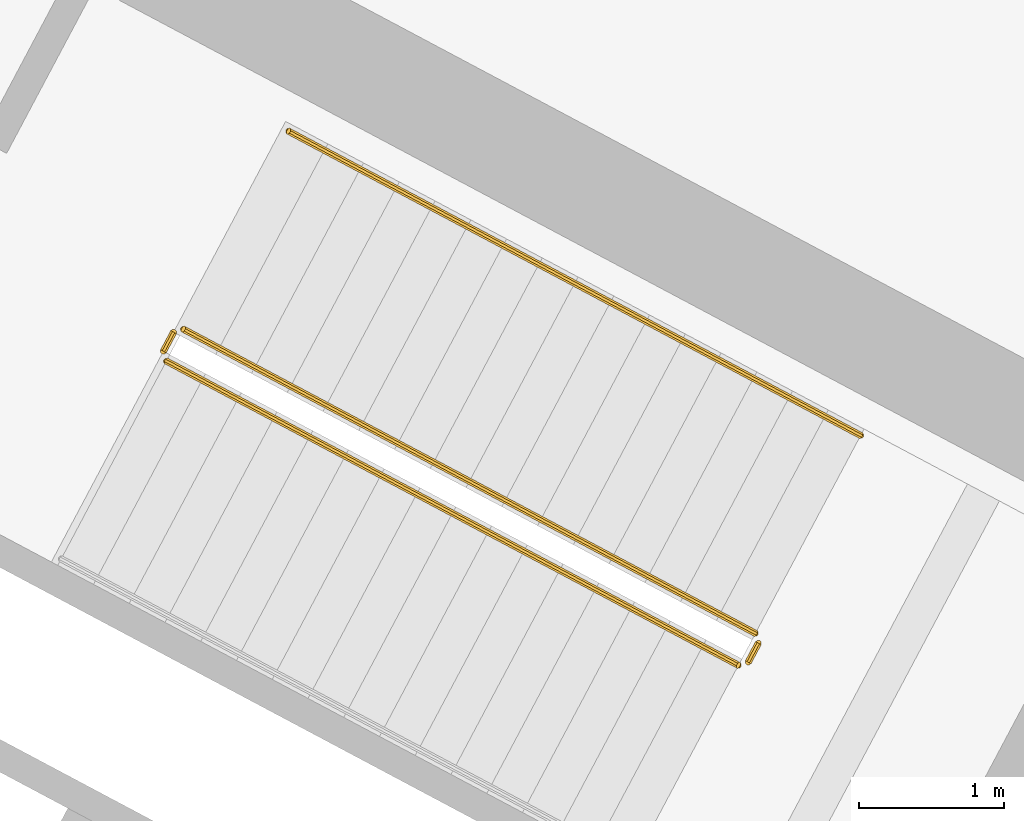
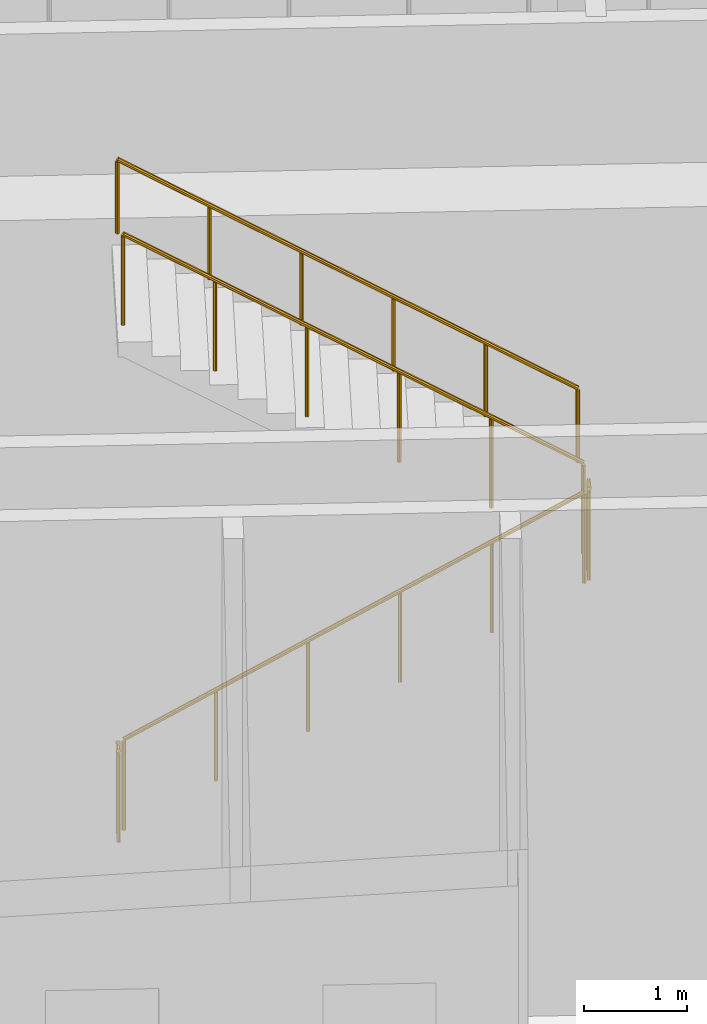
# One storey, part 26 of 33: 5 railings.
"""IFC4 building model written with IfcOpenShell, lengths in metres."""

import ifcopenshell
import ifcopenshell.guid

model = None  # the IFC model being written
_history = None  # IfcOwnerHistory: only IFC2X3 demands one
_inside = {}  # id of a spatial element -> (the spatial element, [elements in it])
_under = {}  # id of a project, library or spatial element -> (it, [spatial elements below it])
_declared = {}  # id of a project -> (the project, [libraries it declares])
_typed = {}  # id of a type object -> (the type object, [elements of that type])
_made_of = {}  # id of a material, layer set ... -> (it, [elements and type objects made of it])


def new_model(schema):
    """Start an empty IFC model of exactly this schema.

    Asked for "IFC4X3", IfcOpenShell would pick the latest addendum, in which some entities
    have other attributes; the version numbers below select the first issue.
    IFC2X3 requires an IfcOwnerHistory on every rooted entity: one is made here for all.
    """
    global model, _history
    if schema == "IFC4X3":
        model = ifcopenshell.file(schema_version=(4, 3, 0, 0))
    else:
        model = ifcopenshell.file(schema=schema)
    _inside.clear()
    _under.clear()
    _declared.clear()
    _typed.clear()
    _made_of.clear()
    _history = None
    if model.schema == "IFC2X3":
        org = make("IfcOrganization", Name="unknown")
        user = make(
            "IfcPersonAndOrganization",
            ThePerson=make("IfcPerson", FamilyName="unknown"),
            TheOrganization=org,
        )
        app = make(
            "IfcApplication",
            ApplicationDeveloper=org,
            Version="unknown",
            ApplicationFullName="unknown",
            ApplicationIdentifier="unknown",
        )
        _history = make(
            "IfcOwnerHistory",
            OwningUser=user,
            OwningApplication=app,
            ChangeAction="ADDED",
            CreationDate=0,
        )
    return model


def make(cls, **values):
    """One entity of the class cls with the attributes given. An attribute that is None is left unset."""
    return model.create_entity(
        cls, **{name: value for name, value in values.items() if value is not None}
    )


def rooted(cls, **values):
    """An entity with a GlobalId (a new one), such as an element, a storey or a relation."""
    return make(cls, GlobalId=ifcopenshell.guid.new(), OwnerHistory=_history, **values)


def si_unit(unit_type, name, prefix=None):
    """IfcSIUnit, for example si_unit("LENGTHUNIT", "METRE", prefix="MILLI")."""
    return make("IfcSIUnit", UnitType=unit_type, Prefix=prefix, Name=name)


def assignment(units):
    """IfcUnitAssignment: the units of a project."""
    return None if units is None else make("IfcUnitAssignment", Units=units)


def point(xyz):
    """IfcCartesianPoint."""
    return None if xyz is None else make("IfcCartesianPoint", Coordinates=xyz)


def direction(xyz):
    """IfcDirection."""
    return None if xyz is None else make("IfcDirection", DirectionRatios=xyz)


def frame(location, z_axis=None, x_axis=None):
    """IfcAxis2Placement3D, a coordinate frame: its origin and axes. An axis left out is left unset."""
    return make(
        "IfcAxis2Placement3D",
        Location=point(location),
        Axis=direction(z_axis),
        RefDirection=direction(x_axis),
    )


def origin():
    """The frame at (0, 0, 0) with its axes left unset."""
    return frame((0.0, 0.0, 0.0))


def place(relative_to, where):
    """IfcLocalPlacement: puts the frame where relative to a parent placement (None: the world)."""
    return make(
        "IfcLocalPlacement", PlacementRelTo=relative_to, RelativePlacement=where
    )


def context(
    kind, dimensions, precision=None, world=None, true_north=None, identifier=None
):
    """IfcGeometricRepresentationContext, for example the 3D "Model" context."""
    return make(
        "IfcGeometricRepresentationContext",
        ContextIdentifier=identifier,
        ContextType=kind,
        CoordinateSpaceDimension=dimensions,
        Precision=precision,
        WorldCoordinateSystem=world,
        TrueNorth=true_north,
    )


def subcontext(parent, identifier, kind, view, scale=None):
    """IfcGeometricRepresentationSubContext, for example "Body" below "Model"."""
    return make(
        "IfcGeometricRepresentationSubContext",
        ContextIdentifier=identifier,
        ContextType=kind,
        ParentContext=parent,
        TargetScale=scale,
        TargetView=view,
    )


def project(units=None, contexts=None):
    """IfcProject with its units and contexts."""
    return rooted(
        "IfcProject",
        Name="project",
        RepresentationContexts=contexts,
        UnitsInContext=assignment(units),
    )


def spatial(cls, under=None, at=None, **own):
    """A site, building, storey or space (cls), placed at a placement, below another one or the project."""
    s = rooted(cls, ObjectPlacement=at, **own)
    if under is not None:
        _under.setdefault(under.id(), (under, []))[1].append(s)
    return s


def polyline(points):
    """IfcPolyline through the points."""
    return make("IfcPolyline", Points=[point(p) for p in points])


def outline(outer, holes=None, kind="AREA"):
    """IfcArbitraryClosedProfileDef: a profile drawn as a closed curve; with holes, ...WithVoids."""
    if holes is None:
        return make("IfcArbitraryClosedProfileDef", ProfileType=kind, OuterCurve=outer)
    return make(
        "IfcArbitraryProfileDefWithVoids",
        ProfileType=kind,
        OuterCurve=outer,
        InnerCurves=holes,
    )


def extrude(swept, where, along, depth):
    """IfcExtrudedAreaSolid: the profile swept, set in the frame where, extruded along a direction by depth."""
    return make(
        "IfcExtrudedAreaSolid",
        SweptArea=swept,
        Position=where,
        ExtrudedDirection=direction(along),
        Depth=depth,
    )


def shape(context_of_items, identifier, shape_type, items):
    """IfcShapeRepresentation: the items that make up one representation, for example the "Body"."""
    return make(
        "IfcShapeRepresentation",
        ContextOfItems=context_of_items,
        RepresentationIdentifier=identifier,
        RepresentationType=shape_type,
        Items=items,
    )


def material(Name=None, Category=None):
    """IfcMaterial."""
    return make("IfcMaterial", Name=Name, Category=Category)


def made_of(thing, what):
    """Note that an element or type object is made of a material, layer set ...; save() writes the relation."""
    if what is not None:
        _made_of.setdefault(what.id(), (what, []))[1].append(thing)
    return thing


def type_object(cls, material=None, **own):
    """A type object (cls), such as IfcWallType, which elements share."""
    return made_of(rooted(cls, **own), material)


def element(
    cls,
    number,
    at=None,
    inside=None,
    cuts=None,
    type_object=None,
    material=None,
    context=None,
    identifier="Body",
    shape_type=None,
    held_by="IfcProductDefinitionShape",
    body=None,
    shapes=None,
    **own,
):
    """One element of the class cls, such as IfcWall. Its Tag is "e" and its number.

    at: its placement. inside: the storey or other place that contains it. cuts: it is an
    opening in that element (IfcRelVoidsElement). A single representation is given by context,
    identifier, shape_type and body (its items); several are given by shapes. held_by: the class
    of the entity that holds the representations. save() writes the other relations.
    """
    e = rooted(cls, Tag="e%d" % number, ObjectPlacement=at, **own)
    if body is not None:
        shapes = [shape(context, identifier, shape_type, body)]
    if shapes is not None:
        e.Representation = make(held_by, Representations=shapes)
    if inside is not None:
        _inside.setdefault(inside.id(), (inside, []))[1].append(e)
    if cuts is not None:
        rooted(
            "IfcRelVoidsElement", RelatingBuildingElement=cuts, RelatedOpeningElement=e
        )
    if type_object is not None:
        _typed.setdefault(type_object.id(), (type_object, []))[1].append(e)
    return made_of(e, material)


def aggregate(whole, parts):
    """IfcRelAggregates: a whole, such as a stair, and the parts it consists of."""
    return rooted("IfcRelAggregates", RelatingObject=whole, RelatedObjects=parts)


def save(model, path):
    """Write the relations noted so far, then the file.

    IfcRelAggregates (storeys below a building ...), IfcRelContainedInSpatialStructure (elements
    in a storey), IfcRelDefinesByType, IfcRelAssociatesMaterial and IfcRelDeclares: one each for
    every whole, place, type object, material and project.
    """
    for whole, parts in _under.values():
        aggregate(whole, parts)
    for where, things in _inside.values():
        rooted(
            "IfcRelContainedInSpatialStructure",
            RelatedElements=things,
            RelatingStructure=where,
        )
    for kind, things in _typed.values():
        rooted("IfcRelDefinesByType", RelatedObjects=things, RelatingType=kind)
    for what, things in _made_of.values():
        rooted("IfcRelAssociatesMaterial", RelatedObjects=things, RelatingMaterial=what)
    for by, libraries in _declared.values():
        rooted("IfcRelDeclares", RelatingContext=by, RelatedDefinitions=libraries)
    model.write(path)


model = new_model("IFC4")

# Units and contexts
model_context = context("Model", 3, precision=1e-05, world=origin(), true_north=direction((0.0, 1.0)))
body_context = subcontext(model_context, "Body", "Model", "MODEL_VIEW")
ifc_project = project(units=[si_unit("LENGTHUNIT", "METRE"), si_unit("AREAUNIT", "SQUARE_METRE"), si_unit("VOLUMEUNIT", "CUBIC_METRE"), si_unit("PLANEANGLEUNIT", "RADIAN"), si_unit("MASSUNIT", "GRAM", prefix="KILO")], contexts=[model_context])

# Site, building, storey
site_placement = place(None, origin())
site = spatial("IfcSite", under=ifc_project, at=site_placement, CompositionType="ELEMENT")
building_placement = place(site_placement, origin())
building = spatial("IfcBuilding", under=site, at=building_placement, Name="Cormorant Relay Tower", CompositionType="ELEMENT")
storey_placement = place(building_placement, frame((0.0, 0.0, 183.60009765625)))
storey = spatial("IfcBuildingStorey", under=building, at=storey_placement, Name="L39", CompositionType="ELEMENT", Elevation=183.60009765625)

# Railings
ifc_material_1 = material(Name="Steel ASTM A572 Grade 50 (Fy 345 MPa)", Category="steel")
railing_type_1 = type_object("IfcRailingType", Name="Stair guard 1100", PredefinedType="GUARDRAIL", material=ifc_material_1)
railing_1_placement = place(storey_placement, frame((-20.75048828125, 19.017822265625, 0.17626953125)))
element("IfcRailing", 1, at=railing_1_placement, inside=storey, type_object=railing_type_1, Name="L39 A1 stair guard 1", PredefinedType="GUARDRAIL", context=body_context, shape_type="SweptSolid", body=[
    extrude(outline(polyline([(0.022216796875, 0.00927734375), (0.00927734375, 0.022216796875), (-0.00927734375, 0.022216796875), (-0.022216796875, 0.00927734375), (-0.022216796875, -0.00927734375), (-0.00927734375, -0.022216796875), (0.00927734375, -0.022216796875), (0.022216796875, -0.00927734375), (0.022216796875, 0.00927734375)])), frame((0.0, 0.0, 1.076171875), z_axis=(0.746948989206, -0.397171061721, 0.533218862434), x_axis=(0.469481920044, 0.882942085729, 0.0)), (0.0, 0.0, 1.0), 5.295654296875),
    extrude(outline(polyline([(0.019287109375, 0.008056640625), (0.008056640625, 0.019287109375), (-0.008056640625, 0.019287109375), (-0.019287109375, 0.008056640625), (-0.019287109375, -0.008056640625), (-0.008056640625, -0.019287109375), (0.008056640625, -0.019287109375), (0.019287109375, -0.008056640625), (0.019287109375, 0.008056640625)])), origin(), (0.0, 0.0, 1.0), 1.052001953125),
    extrude(outline(polyline([(0.019287109375, 0.008056640625), (0.008056640625, 0.019287109375), (-0.008056640625, 0.019287109375), (-0.019287109375, 0.008056640625), (-0.019287109375, -0.008056640625), (-0.008056640625, -0.019287109375), (0.008056640625, -0.019287109375), (0.019287109375, -0.008056640625), (0.019287109375, 0.008056640625)])), frame((0.791015625, -0.420654296875, 0.564697265625)), (0.0, 0.0, 1.0), 1.052001953125),
    extrude(outline(polyline([(0.019287109375, 0.008056640625), (0.008056640625, 0.019287109375), (-0.008056640625, 0.019287109375), (-0.019287109375, 0.008056640625), (-0.019287109375, -0.008056640625), (-0.008056640625, -0.019287109375), (0.008056640625, -0.019287109375), (0.019287109375, -0.008056640625), (0.019287109375, 0.008056640625)])), frame((1.582275390625, -0.84130859375, 1.12939453125)), (0.0, 0.0, 1.0), 1.052001953125),
    extrude(outline(polyline([(0.019287109375, 0.008056640625), (0.008056640625, 0.019287109375), (-0.008056640625, 0.019287109375), (-0.019287109375, 0.008056640625), (-0.019287109375, -0.008056640625), (-0.008056640625, -0.019287109375), (0.008056640625, -0.019287109375), (0.019287109375, -0.008056640625), (0.019287109375, 0.008056640625)])), frame((2.373291015625, -1.261962890625, 1.6943359375)), (0.0, 0.0, 1.0), 1.052001953125),
    extrude(outline(polyline([(0.019287109375, 0.008056640625), (0.008056640625, 0.019287109375), (-0.008056640625, 0.019287109375), (-0.019287109375, 0.008056640625), (-0.019287109375, -0.008056640625), (-0.008056640625, -0.019287109375), (0.008056640625, -0.019287109375), (0.019287109375, -0.008056640625), (0.019287109375, 0.008056640625)])), frame((3.16455078125, -1.6826171875, 2.259033203125)), (0.0, 0.0, 1.0), 1.052001953125),
    extrude(outline(polyline([(0.019287109375, 0.008056640625), (0.008056640625, 0.019287109375), (-0.008056640625, 0.019287109375), (-0.019287109375, 0.008056640625), (-0.019287109375, -0.008056640625), (-0.008056640625, -0.019287109375), (0.008056640625, -0.019287109375), (0.019287109375, -0.008056640625), (0.019287109375, 0.008056640625)])), frame((3.95556640625, -2.103271484375, 2.82373046875)), (0.0, 0.0, 1.0), 1.052001953125),
])
railing_2_placement = place(storey_placement, frame((-16.727294921875, 16.935302734375, 3.0)))
element("IfcRailing", 2, at=railing_2_placement, inside=storey, type_object=railing_type_1, Name="L39 A1 stair guard 2", PredefinedType="GUARDRAIL", context=body_context, shape_type="SweptSolid", body=[
    extrude(outline(polyline([(0.022216796875, 0.00927734375), (0.00927734375, 0.022216796875), (-0.00927734375, 0.022216796875), (-0.022216796875, 0.00927734375), (-0.022216796875, -0.00927734375), (-0.00927734375, -0.022216796875), (0.00927734375, -0.022216796875), (0.022216796875, -0.00927734375), (0.022216796875, 0.00927734375)])), frame((0.0, 0.0, 1.076171875), z_axis=(0.46856034887, 0.8834314911, 0.0), x_axis=(-0.8834314911, 0.46856034887, 0.0)), (0.0, 0.0, 1.0), 0.150146484375),
    extrude(outline(polyline([(0.019287109375, 0.008056640625), (0.008056640625, 0.019287109375), (-0.008056640625, 0.019287109375), (-0.019287109375, 0.008056640625), (-0.019287109375, -0.008056640625), (-0.008056640625, -0.019287109375), (0.008056640625, -0.019287109375), (0.019287109375, -0.008056640625), (0.019287109375, 0.008056640625)])), origin(), (0.0, 0.0, 1.0), 1.052001953125),
    extrude(outline(polyline([(0.019287109375, 0.008056640625), (0.008056640625, 0.019287109375), (-0.008056640625, 0.019287109375), (-0.019287109375, 0.008056640625), (-0.019287109375, -0.008056640625), (-0.008056640625, -0.019287109375), (0.008056640625, -0.019287109375), (0.019287109375, -0.008056640625), (0.019287109375, 0.008056640625)])), frame((0.0703125, 0.132568359375, 0.0)), (0.0, 0.0, 1.0), 1.052001953125),
])
railing_3_placement = place(storey_placement, frame((-16.677490234375, 17.135498046875, 3.17626953125)))
element("IfcRailing", 3, at=railing_3_placement, inside=storey, type_object=railing_type_1, Name="L39 A1 stair guard 3", PredefinedType="GUARDRAIL", context=body_context, shape_type="SweptSolid", body=[
    extrude(outline(polyline([(0.022216796875, 0.00927734375), (0.00927734375, 0.022216796875), (-0.00927734375, 0.022216796875), (-0.022216796875, 0.00927734375), (-0.022216796875, -0.00927734375), (-0.00927734375, -0.022216796875), (0.00927734375, -0.022216796875), (0.022216796875, -0.00927734375), (0.022216796875, 0.00927734375)])), frame((0.0, 0.0, 1.076171875), z_axis=(-0.746983044469, 0.397118554901, 0.533210263058), x_axis=(-0.469416846059, -0.882976684084, 0.0)), (0.0, 0.0, 1.0), 5.295654296875),
    extrude(outline(polyline([(0.019287109375, 0.008056640625), (0.008056640625, 0.019287109375), (-0.008056640625, 0.019287109375), (-0.019287109375, 0.008056640625), (-0.019287109375, -0.008056640625), (-0.008056640625, -0.019287109375), (0.008056640625, -0.019287109375), (0.019287109375, -0.008056640625), (0.019287109375, 0.008056640625)])), origin(), (0.0, 0.0, 1.0), 1.052001953125),
    extrude(outline(polyline([(0.019287109375, 0.008056640625), (0.008056640625, 0.019287109375), (-0.008056640625, 0.019287109375), (-0.019287109375, 0.008056640625), (-0.019287109375, -0.008056640625), (-0.008056640625, -0.019287109375), (0.008056640625, -0.019287109375), (0.019287109375, -0.008056640625), (0.019287109375, 0.008056640625)])), frame((-0.791259765625, 0.420654296875, 0.564697265625)), (0.0, 0.0, 1.0), 1.052001953125),
    extrude(outline(polyline([(0.019287109375, 0.008056640625), (0.008056640625, 0.019287109375), (-0.008056640625, 0.019287109375), (-0.019287109375, 0.008056640625), (-0.019287109375, -0.008056640625), (-0.008056640625, -0.019287109375), (0.008056640625, -0.019287109375), (0.019287109375, -0.008056640625), (0.019287109375, 0.008056640625)])), frame((-1.582275390625, 0.84130859375, 1.12939453125)), (0.0, 0.0, 1.0), 1.052001953125),
    extrude(outline(polyline([(0.019287109375, 0.008056640625), (0.008056640625, 0.019287109375), (-0.008056640625, 0.019287109375), (-0.019287109375, 0.008056640625), (-0.019287109375, -0.008056640625), (-0.008056640625, -0.019287109375), (0.008056640625, -0.019287109375), (0.019287109375, -0.008056640625), (0.019287109375, 0.008056640625)])), frame((-2.37353515625, 1.26171875, 1.6943359375)), (0.0, 0.0, 1.0), 1.052001953125),
    extrude(outline(polyline([(0.019287109375, 0.008056640625), (0.008056640625, 0.019287109375), (-0.008056640625, 0.019287109375), (-0.019287109375, 0.008056640625), (-0.019287109375, -0.008056640625), (-0.008056640625, -0.019287109375), (0.008056640625, -0.019287109375), (0.019287109375, -0.008056640625), (0.019287109375, 0.008056640625)])), frame((-3.16455078125, 1.682373046875, 2.259033203125)), (0.0, 0.0, 1.0), 1.052001953125),
    extrude(outline(polyline([(0.019287109375, 0.008056640625), (0.008056640625, 0.019287109375), (-0.008056640625, 0.019287109375), (-0.019287109375, 0.008056640625), (-0.019287109375, -0.008056640625), (-0.008056640625, -0.019287109375), (0.008056640625, -0.019287109375), (0.019287109375, -0.008056640625), (0.019287109375, 0.008056640625)])), frame((-3.955810546875, 2.10302734375, 2.82373046875)), (0.0, 0.0, 1.0), 1.052001953125),
])
railing_4_placement = place(storey_placement, frame((-20.771240234375, 19.08544921875, 0.0)))
element("IfcRailing", 4, at=railing_4_placement, inside=storey, type_object=railing_type_1, Name="L39 A1 stair guard 4", PredefinedType="GUARDRAIL", context=body_context, shape_type="SweptSolid", body=[
    extrude(outline(polyline([(0.022216796875, 0.00927734375), (0.00927734375, 0.022216796875), (-0.00927734375, 0.022216796875), (-0.022216796875, 0.00927734375), (-0.022216796875, -0.00927734375), (-0.00927734375, -0.022216796875), (0.00927734375, -0.022216796875), (0.022216796875, -0.00927734375), (0.022216796875, 0.00927734375)])), frame((0.0, 0.0, 1.076171875), z_axis=(0.469828648786, 0.882757634224, 0.0), x_axis=(-0.882757634224, 0.469828648786, 0.0)), (0.0, 0.0, 1.0), 0.150146484375),
    extrude(outline(polyline([(0.019287109375, 0.008056640625), (0.008056640625, 0.019287109375), (-0.008056640625, 0.019287109375), (-0.019287109375, 0.008056640625), (-0.019287109375, -0.008056640625), (-0.008056640625, -0.019287109375), (0.008056640625, -0.019287109375), (0.019287109375, -0.008056640625), (0.019287109375, 0.008056640625)])), origin(), (0.0, 0.0, 1.0), 1.052001953125),
    extrude(outline(polyline([(0.019287109375, 0.008056640625), (0.008056640625, 0.019287109375), (-0.008056640625, 0.019287109375), (-0.019287109375, 0.008056640625), (-0.019287109375, -0.008056640625), (-0.008056640625, -0.019287109375), (0.008056640625, -0.019287109375), (0.019287109375, -0.008056640625), (0.019287109375, 0.008056640625)])), frame((0.070556640625, 0.132568359375, 0.0)), (0.0, 0.0, 1.0), 1.052001953125),
])
ifc_material_2 = material(Name="Steel ASTM A572 Grade 50 (Fy 345 MPa)", Category="steel")
railing_type_2 = type_object("IfcRailingType", Name="Stair handrail 900", PredefinedType="HANDRAIL", material=ifc_material_2)
railing_5_placement = place(storey_placement, frame((-15.949951171875, 18.50390625, 3.17626953125)))
element("IfcRailing", 5, at=railing_5_placement, inside=storey, type_object=railing_type_2, Name="L39 A1 stair handrail 2", PredefinedType="HANDRAIL", context=body_context, shape_type="SweptSolid", body=[
    extrude(outline(polyline([(0.022216796875, 0.00927734375), (0.00927734375, 0.022216796875), (-0.00927734375, 0.022216796875), (-0.022216796875, 0.00927734375), (-0.022216796875, -0.00927734375), (-0.00927734375, -0.022216796875), (0.00927734375, -0.022216796875), (0.022216796875, -0.00927734375), (0.022216796875, 0.00927734375)])), frame((0.0, 0.0, 0.8759765625), z_axis=(-0.746948989206, 0.397171061721, 0.533218862434), x_axis=(-0.469481920044, -0.882942085729, 0.0)), (0.0, 0.0, 1.0), 5.295654296875),
    extrude(outline(polyline([(0.019287109375, 0.008056640625), (0.008056640625, 0.019287109375), (-0.008056640625, 0.019287109375), (-0.019287109375, 0.008056640625), (-0.019287109375, -0.008056640625), (-0.008056640625, -0.019287109375), (0.008056640625, -0.019287109375), (0.019287109375, -0.008056640625), (0.019287109375, 0.008056640625)])), origin(), (0.0, 0.0, 1.0), 0.851806640625),
    extrude(outline(polyline([(0.019287109375, 0.008056640625), (0.008056640625, 0.019287109375), (-0.008056640625, 0.019287109375), (-0.019287109375, 0.008056640625), (-0.019287109375, -0.008056640625), (-0.008056640625, -0.019287109375), (0.008056640625, -0.019287109375), (0.019287109375, -0.008056640625), (0.019287109375, 0.008056640625)])), frame((-0.791015625, 0.420654296875, 0.564697265625)), (0.0, 0.0, 1.0), 0.851806640625),
    extrude(outline(polyline([(0.019287109375, 0.008056640625), (0.008056640625, 0.019287109375), (-0.008056640625, 0.019287109375), (-0.019287109375, 0.008056640625), (-0.019287109375, -0.008056640625), (-0.008056640625, -0.019287109375), (0.008056640625, -0.019287109375), (0.019287109375, -0.008056640625), (0.019287109375, 0.008056640625)])), frame((-1.582275390625, 0.84130859375, 1.12939453125)), (0.0, 0.0, 1.0), 0.851806640625),
    extrude(outline(polyline([(0.019287109375, 0.008056640625), (0.008056640625, 0.019287109375), (-0.008056640625, 0.019287109375), (-0.019287109375, 0.008056640625), (-0.019287109375, -0.008056640625), (-0.008056640625, -0.019287109375), (0.008056640625, -0.019287109375), (0.019287109375, -0.008056640625), (0.019287109375, 0.008056640625)])), frame((-2.373291015625, 1.261962890625, 1.6943359375)), (0.0, 0.0, 1.0), 0.851806640625),
    extrude(outline(polyline([(0.019287109375, 0.008056640625), (0.008056640625, 0.019287109375), (-0.008056640625, 0.019287109375), (-0.019287109375, 0.008056640625), (-0.019287109375, -0.008056640625), (-0.008056640625, -0.019287109375), (0.008056640625, -0.019287109375), (0.019287109375, -0.008056640625), (0.019287109375, 0.008056640625)])), frame((-3.16455078125, 1.6826171875, 2.259033203125)), (0.0, 0.0, 1.0), 0.851806640625),
    extrude(outline(polyline([(0.019287109375, 0.008056640625), (0.008056640625, 0.019287109375), (-0.008056640625, 0.019287109375), (-0.019287109375, 0.008056640625), (-0.019287109375, -0.008056640625), (-0.008056640625, -0.019287109375), (0.008056640625, -0.019287109375), (0.019287109375, -0.008056640625), (0.019287109375, 0.008056640625)])), frame((-3.95556640625, 2.103271484375, 2.82373046875)), (0.0, 0.0, 1.0), 0.851806640625),
])

save(model, "model.ifc")
